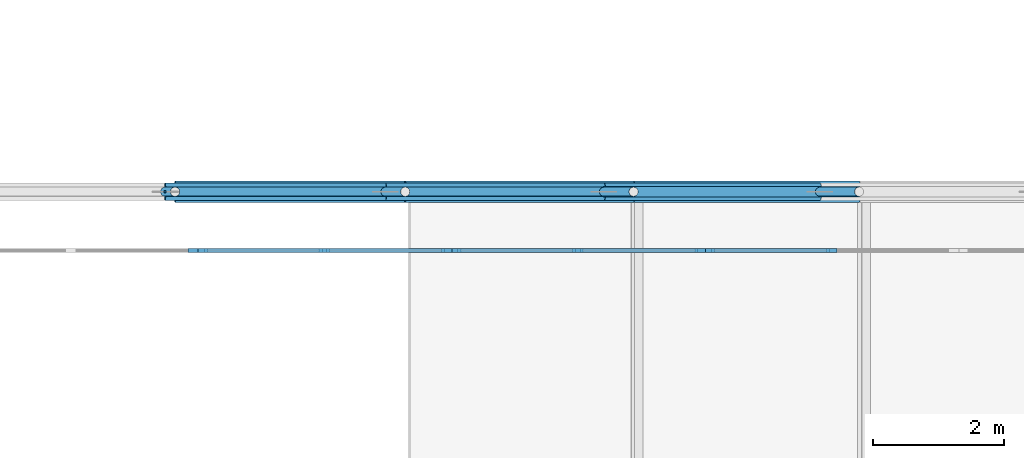
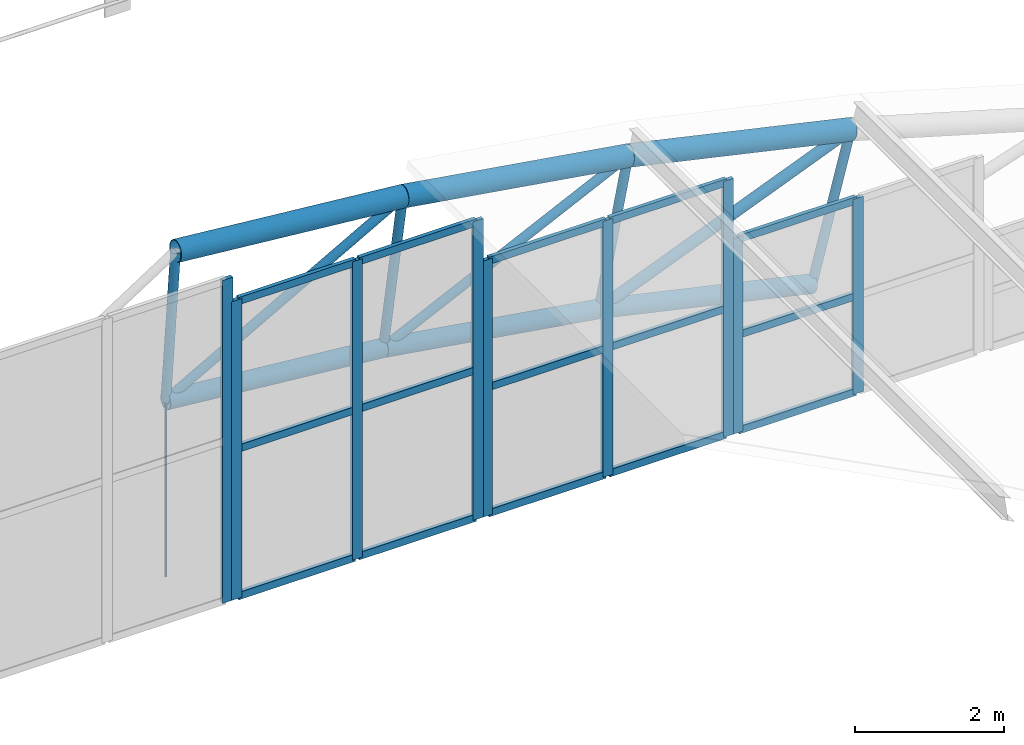
# One storey, part 143 of 321: 38 members, 4 elements without a shape of their own.
"""IFC4 building model written with IfcOpenShell, lengths in metres."""

from ifc_helpers import new_model, si_unit, direction, frame, origin, origin_2d, place, context, subcontext, project, spatial, rectangle, circle, hollow_circle, extrude, material, layer, layer_set, material_profile, profile_set, type_object, element, aggregate, save


model = new_model("IFC4")

# Units and contexts
model_context = context("Model", 3, precision=1e-05, world=origin(), true_north=direction((0.0, 1.0)))
body_context = subcontext(model_context, "Body", "Model", "MODEL_VIEW")
ifc_project = project(units=[si_unit("LENGTHUNIT", "METRE"), si_unit("AREAUNIT", "SQUARE_METRE"), si_unit("VOLUMEUNIT", "CUBIC_METRE"), si_unit("PLANEANGLEUNIT", "RADIAN"), si_unit("MASSUNIT", "GRAM", prefix="KILO")], contexts=[model_context])

# Site, building, storey
site_placement = place(None, origin())
site = spatial("IfcSite", under=ifc_project, at=site_placement, CompositionType="ELEMENT")
building_placement = place(site_placement, origin())
building = spatial("IfcBuilding", under=site, at=building_placement, Name="Ravi Spectrum Wholesale Market", CompositionType="ELEMENT")
storey_placement = place(building_placement, frame((0.0, 0.0, 10.800048828125)))
storey = spatial("IfcBuildingStorey", under=building, at=storey_placement, Name="L02", CompositionType="ELEMENT", Elevation=10.800048828125)

# Members
ifc_material_1 = material(Name="Steel S355", Category="steel")
ifc_material_profile_1 = material_profile(ifc_material_1, hollow_circle(Radius=0.06982421875, WallThickness=0.0048828125, at=origin_2d()))
ifc_profile_set_1 = profile_set([ifc_material_profile_1], Name="Steel S355")
member_type_1 = type_object("IfcMemberType", Name="CHS 139.7x5 brace", PredefinedType="BRACE", material=ifc_profile_set_1)
for number, where, z_axis, x_axis, name in (
    (1, (181.0673828125, 126.0, 4.952392578125), (-0.872529716562, 0.0, -0.488561044001), (0.0, -1.0, 0.0), "H2-MB-L02-273"),
    (2, (184.565673828125, 126.0, 4.394775390625), (-0.901638699511, 0.0, -0.432490064098), (0.0, -1.0, 0.0), "H2-MB-L02-274"),
):
    element("IfcMember", number, at=place(storey_placement, frame(where, z_axis=z_axis, x_axis=x_axis)), inside=storey, type_object=member_type_1, Name=name, PredefinedType="BRACE", context=body_context, shape_type="SweptSolid", body=[
        extrude(hollow_circle(Radius=0.06982421875, WallThickness=0.0048828125, at=origin_2d()), origin(), (0.0, 0.0, 1.0), 4.215576171875),
    ])
ifc_material_2 = material(Name="Steel S355", Category="steel")
ifc_material_profile_2 = material_profile(ifc_material_2, hollow_circle(Radius=0.06982421875, WallThickness=0.0048828125, at=origin_2d()))
ifc_profile_set_2 = profile_set([ifc_material_profile_2], Name="Steel S355")
member_type_2 = type_object("IfcMemberType", Name="CHS 139.7x5 post", PredefinedType="POST", material=ifc_profile_set_2)
for number, where, z_axis, x_axis, name in (
    (3, (177.540771484375, 126.0, 5.2880859375), (-0.06316988397, 0.0, -0.998002788453), (0.0, -1.0, 0.0), "H2-MB-L02-260"),
    (4, (181.0673828125, 126.0, 4.952392578125), (-0.126137795856, 0.0, -0.992012729987), (0.0, -1.0, 0.0), "H2-MB-L02-261"),
):
    element("IfcMember", number, at=place(storey_placement, frame(where, z_axis=z_axis, x_axis=x_axis)), inside=storey, type_object=member_type_2, Name=name, PredefinedType="POST", context=body_context, shape_type="SweptSolid", body=[
        extrude(hollow_circle(Radius=0.06982421875, WallThickness=0.0048828125, at=origin_2d()), origin(), (0.0, 0.0, 1.0), 2.400146484375),
    ])
member_1_placement = place(storey_placement, frame((184.565673828125, 126.0, 4.394775390625), z_axis=(-0.188500261805, 0.0, -0.982073139486), x_axis=(0.0, -1.0, 0.0)))
element("IfcMember", 5, at=member_1_placement, inside=storey, type_object=member_type_2, Name="H2-MB-L02-262", PredefinedType="POST", context=body_context, shape_type="SweptSolid", body=[
    extrude(hollow_circle(Radius=0.06982421875, WallThickness=0.0048828125, at=origin_2d()), origin(), (0.0, 0.0, 1.0), 2.39990234375),
])
member_2_placement = place(storey_placement, frame((188.02197265625, 126.0, 3.6171875), z_axis=(-0.250234870817, 0.0, -0.96818516278), x_axis=(0.0, -1.0, 0.0)))
element("IfcMember", 6, at=member_2_placement, inside=storey, type_object=member_type_2, Name="H2-MB-L02-263", PredefinedType="POST", context=body_context, shape_type="SweptSolid", body=[
    extrude(hollow_circle(Radius=0.06982421875, WallThickness=0.0048828125, at=origin_2d()), origin(), (0.0, 0.0, 1.0), 2.400146484375),
])
ifc_material_3 = material(Name="Steel S355", Category="steel")
ifc_material_profile_3 = material_profile(ifc_material_3, hollow_circle(Radius=0.084228515625, WallThickness=0.00634765625, at=origin_2d()))
ifc_profile_set_3 = profile_set([ifc_material_profile_3], Name="Steel S355")
member_type_3 = type_object("IfcMemberType", Name="CHS 168.3x6.3 brace", PredefinedType="BRACE", material=ifc_profile_set_3)
member_3_placement = place(storey_placement, frame((188.02197265625, 126.0, 3.6171875), z_axis=(-0.927172989808, 0.0, -0.374633483515), x_axis=(0.0, -1.0, 0.0)))
element("IfcMember", 7, at=member_3_placement, inside=storey, type_object=member_type_3, Name="H2-MB-L02-275", PredefinedType="BRACE", context=body_context, shape_type="SweptSolid", body=[
    extrude(hollow_circle(Radius=0.084228515625, WallThickness=0.00634765625, at=origin_2d()), origin(), (0.0, 0.0, 1.0), 4.2158203125),
])
ifc_material_4 = material(Name="Steel S355", Category="steel")
ifc_material_profile_4 = material_profile(ifc_material_4, hollow_circle(Radius=0.136474609375, WallThickness=0.010009765625, at=origin_2d()))
ifc_profile_set_4 = profile_set([ifc_material_profile_4], Name="Steel S355")
member_type_4 = type_object("IfcMemberType", Name="CHS 273x10 chord", PredefinedType="CHORD", material=ifc_profile_set_4)
member_4_placement = place(storey_placement, frame((177.38916015625, 126.0, 2.892822265625), z_axis=(0.995500648787, 0.0, -0.094754726877), x_axis=(0.0, 1.0, 0.0)))
element("IfcMember", 8, at=member_4_placement, inside=storey, type_object=member_type_4, Name="H2-MB-L02-247", PredefinedType="CHORD", context=body_context, shape_type="SweptSolid", body=[
    extrude(hollow_circle(Radius=0.136474609375, WallThickness=0.010009765625, at=origin_2d()), origin(), (0.0, 0.0, 1.0), 3.390625),
])
for number, where, z_axis, x_axis, name in (
    (9, (180.7646484375, 126.0, 2.571533203125), (0.98753659733, 0.0, -0.157389545185), (0.0, 1.0, 0.0), "H2-MB-L02-248"),
    (10, (184.11328125, 126.0, 2.037841796875), (0.975605901076, 0.0, -0.219529327851), (0.0, 1.0, 0.0), "H2-MB-L02-249"),
):
    element("IfcMember", number, at=place(storey_placement, frame(where, z_axis=z_axis, x_axis=x_axis)), inside=storey, type_object=member_type_4, Name=name, PredefinedType="CHORD", context=body_context, shape_type="SweptSolid", body=[
        extrude(hollow_circle(Radius=0.136474609375, WallThickness=0.010009765625, at=origin_2d()), origin(), (0.0, 0.0, 1.0), 3.390869140625),
    ])
ifc_material_5 = material(Name="Steel S355", Category="steel")
ifc_material_profile_5 = material_profile(ifc_material_5, hollow_circle(Radius=0.161865234375, WallThickness=0.010009765625, at=origin_2d()))
ifc_profile_set_5 = profile_set([ifc_material_profile_5], Name="Steel S355")
member_type_5 = type_object("IfcMemberType", Name="CHS 323.9x10 chord", PredefinedType="CHORD", material=ifc_profile_set_5)
for number, where, z_axis, x_axis, name in (
    (11, (177.540771484375, 126.0, 5.2880859375), (0.995500117461, 0.0, -0.094760308862), (0.0, 1.0, 0.0), "H2-MB-L02-233"),
    (12, (181.0673828125, 126.0, 4.952392578125), (0.987533356072, 0.0, -0.157409881029), (0.0, 1.0, 0.0), "H2-MB-L02-234"),
):
    element("IfcMember", number, at=place(storey_placement, frame(where, z_axis=z_axis, x_axis=x_axis)), inside=storey, type_object=member_type_5, Name=name, PredefinedType="CHORD", context=body_context, shape_type="SweptSolid", body=[
        extrude(hollow_circle(Radius=0.161865234375, WallThickness=0.010009765625, at=origin_2d()), origin(), (0.0, 0.0, 1.0), 3.54248046875),
    ])
member_5_placement = place(storey_placement, frame((184.565673828125, 126.0, 4.394775390625), z_axis=(0.975614552373, 0.0, -0.219490877256), x_axis=(0.0, 1.0, 0.0)))
element("IfcMember", 13, at=member_5_placement, inside=storey, type_object=member_type_5, Name="H2-MB-L02-235", PredefinedType="CHORD", context=body_context, shape_type="SweptSolid", body=[
    extrude(hollow_circle(Radius=0.161865234375, WallThickness=0.010009765625, at=origin_2d()), origin(), (0.0, 0.0, 1.0), 3.542724609375),
])

# Curtain wall, member
ifc_material_6 = material(Name="Aluminium 6063-T6", Category="aluminium")
ifc_layer = layer(ifc_material_6, 0.14990234375)
ifc_layer_set = layer_set([ifc_layer], Name="Aluminium 6063-T6")
curtain_wall_type = type_object("IfcCurtainWallType", Name="Curtain wall 150", PredefinedType="NOTDEFINED", material=ifc_layer_set)
curtain_wall_1_placement = place(storey_placement, origin())
curtain_wall_1 = element("IfcCurtainWall", 14, at=curtain_wall_1_placement, inside=storey, type_object=curtain_wall_type, Name="H2-CW-L02-016", PredefinedType="NOTDEFINED")
ifc_material_7 = material(Name="Aluminium 6063-T6", Category="aluminium")
ifc_material_profile_6 = material_profile(ifc_material_7, rectangle(XDim=0.06005859375, YDim=0.159912109375, at=origin_2d()))
ifc_profile_set_6 = profile_set([ifc_material_profile_6], Name="Aluminium 6063-T6")
member_type_6 = type_object("IfcMemberType", Name="Mullion 60 x 160", PredefinedType="MULLION", material=ifc_profile_set_6)
member_6_placement = place(storey_placement, frame((177.816162109375, 125.10009765625, 0.0), z_axis=(0.0, 0.0, 1.0), x_axis=(0.0, 1.0, 0.0)))
member_6 = element("IfcMember", 15, at=member_6_placement, type_object=member_type_6, Name="H2-CW-L02-016 mullion 3", PredefinedType="MULLION", context=body_context, shape_type="SweptSolid", body=[
    extrude(rectangle(XDim=0.06005859375, YDim=0.159912109375, at=origin_2d()), origin(), (0.0, 0.0, 1.0), 5.300048828125),
])
aggregate(curtain_wall_1, [member_6])

# Curtain wall, members
curtain_wall_2_placement = place(storey_placement, origin())
curtain_wall_2 = element("IfcCurtainWall", 16, at=curtain_wall_2_placement, inside=storey, type_object=curtain_wall_type, Name="H2-CW-L02-017", PredefinedType="NOTDEFINED")
member_7_placement = place(storey_placement, frame((177.9560546875, 125.10009765625, 0.0), z_axis=(0.0, 0.0, 1.0), x_axis=(0.0, 1.0, 0.0)))
member_7 = element("IfcMember", 17, at=member_7_placement, type_object=member_type_6, Name="H2-CW-L02-017 mullion 1", PredefinedType="MULLION", context=body_context, shape_type="SweptSolid", body=[
    extrude(rectangle(XDim=0.06005859375, YDim=0.159912109375, at=origin_2d()), origin(), (0.0, 0.0, 1.0), 4.89990234375),
])
member_8_placement = place(storey_placement, frame((179.8291015625, 125.10009765625, 0.0), z_axis=(0.0, 0.0, 1.0), x_axis=(0.0, 1.0, 0.0)))
member_8 = element("IfcMember", 18, at=member_8_placement, type_object=member_type_6, Name="H2-CW-L02-017 mullion 2", PredefinedType="MULLION", context=body_context, shape_type="SweptSolid", body=[
    extrude(rectangle(XDim=0.06005859375, YDim=0.159912109375, at=origin_2d()), origin(), (0.0, 0.0, 1.0), 4.89990234375),
])
member_9_placement = place(storey_placement, frame((181.7021484375, 125.10009765625, 0.0), z_axis=(0.0, 0.0, 1.0), x_axis=(0.0, 1.0, 0.0)))
member_9 = element("IfcMember", 19, at=member_9_placement, type_object=member_type_6, Name="H2-CW-L02-017 mullion 3", PredefinedType="MULLION", context=body_context, shape_type="SweptSolid", body=[
    extrude(rectangle(XDim=0.06005859375, YDim=0.159912109375, at=origin_2d()), origin(), (0.0, 0.0, 1.0), 4.89990234375),
])

curtain_wall_3_placement = place(storey_placement, origin())
curtain_wall_3 = element("IfcCurtainWall", 20, at=curtain_wall_3_placement, inside=storey, type_object=curtain_wall_type, Name="H2-CW-L02-018", PredefinedType="NOTDEFINED")
member_10_placement = place(storey_placement, frame((181.84228515625, 125.10009765625, 0.0), z_axis=(0.0, 0.0, 1.0), x_axis=(0.0, 1.0, 0.0)))
member_10 = element("IfcMember", 21, at=member_10_placement, type_object=member_type_6, Name="H2-CW-L02-018 mullion 1", PredefinedType="MULLION", context=body_context, shape_type="SweptSolid", body=[
    extrude(rectangle(XDim=0.06005859375, YDim=0.159912109375, at=origin_2d()), origin(), (0.0, 0.0, 1.0), 4.199951171875),
])
member_11_placement = place(storey_placement, frame((183.71533203125, 125.10009765625, 0.0), z_axis=(0.0, 0.0, 1.0), x_axis=(0.0, 1.0, 0.0)))
member_11 = element("IfcMember", 22, at=member_11_placement, type_object=member_type_6, Name="H2-CW-L02-018 mullion 2", PredefinedType="MULLION", context=body_context, shape_type="SweptSolid", body=[
    extrude(rectangle(XDim=0.06005859375, YDim=0.159912109375, at=origin_2d()), origin(), (0.0, 0.0, 1.0), 4.199951171875),
])
member_12_placement = place(storey_placement, frame((185.58837890625, 125.10009765625, 0.0), z_axis=(0.0, 0.0, 1.0), x_axis=(0.0, 1.0, 0.0)))
member_12 = element("IfcMember", 23, at=member_12_placement, type_object=member_type_6, Name="H2-CW-L02-018 mullion 3", PredefinedType="MULLION", context=body_context, shape_type="SweptSolid", body=[
    extrude(rectangle(XDim=0.06005859375, YDim=0.159912109375, at=origin_2d()), origin(), (0.0, 0.0, 1.0), 4.199951171875),
])

curtain_wall_4_placement = place(storey_placement, origin())
curtain_wall_4 = element("IfcCurtainWall", 24, at=curtain_wall_4_placement, inside=storey, type_object=curtain_wall_type, Name="H2-CW-L02-019", PredefinedType="NOTDEFINED")
member_13_placement = place(storey_placement, frame((185.728515625, 125.10009765625, 0.0), z_axis=(0.0, 0.0, 1.0), x_axis=(0.0, 1.0, 0.0)))
member_13 = element("IfcMember", 25, at=member_13_placement, type_object=member_type_6, Name="H2-CW-L02-019 mullion 1", PredefinedType="MULLION", context=body_context, shape_type="SweptSolid", body=[
    extrude(rectangle(XDim=0.06005859375, YDim=0.159912109375, at=origin_2d()), origin(), (0.0, 0.0, 1.0), 3.199951171875),
])
member_14_placement = place(storey_placement, frame((187.6015625, 125.10009765625, 0.0), z_axis=(0.0, 0.0, 1.0), x_axis=(0.0, 1.0, 0.0)))
member_14 = element("IfcMember", 26, at=member_14_placement, type_object=member_type_6, Name="H2-CW-L02-019 mullion 2", PredefinedType="MULLION", context=body_context, shape_type="SweptSolid", body=[
    extrude(rectangle(XDim=0.06005859375, YDim=0.159912109375, at=origin_2d()), origin(), (0.0, 0.0, 1.0), 3.199951171875),
])

# Member
ifc_material_8 = material(Name="Steel S355", Category="steel")
ifc_material_profile_7 = material_profile(ifc_material_8, circle(Radius=0.01806640625, at=origin_2d()))
ifc_profile_set_7 = profile_set([ifc_material_profile_7], Name="Steel S355")
member_type_7 = type_object("IfcMemberType", Name="ROD 36 hanger", PredefinedType="STRUT", material=ifc_profile_set_7)
member_15_placement = place(storey_placement, frame((177.38916015625, 126.0, 0.0), z_axis=(0.0, 0.0, 1.0), x_axis=(1.0, 0.0, 0.0)))
element("IfcMember", 27, at=member_15_placement, inside=storey, type_object=member_type_7, Name="H2-MB-L02-280", PredefinedType="STRUT", context=body_context, shape_type="SweptSolid", body=[
    extrude(circle(Radius=0.01806640625, at=origin_2d()), origin(), (0.0, 0.0, 1.0), 2.892822265625),
])

ifc_material_9 = material(Name="Aluminium 6063-T6", Category="aluminium")
ifc_material_profile_8 = material_profile(ifc_material_9, rectangle(XDim=0.06005859375, YDim=0.1201171875, at=origin_2d()))
ifc_profile_set_8 = profile_set([ifc_material_profile_8], Name="Aluminium 6063-T6")
member_type_8 = type_object("IfcMemberType", Name="Transom 60 x 120", PredefinedType="USERDEFINED", material=ifc_profile_set_8)
member_16_placement = place(storey_placement, frame((177.986083984375, 125.10009765625, 0.030029296875), z_axis=(1.0, 0.0, 0.0), x_axis=(0.0, 1.0, 0.0)))
member_16 = element("IfcMember", 28, at=member_16_placement, type_object=member_type_8, Name="H2-CW-L02-017 transom 1.1", ObjectType="TRANSOM", PredefinedType="USERDEFINED", context=body_context, shape_type="SweptSolid", body=[
    extrude(rectangle(XDim=0.06005859375, YDim=0.1201171875, at=origin_2d()), origin(), (0.0, 0.0, 1.0), 1.813232421875),
])

member_17_placement = place(storey_placement, frame((177.986083984375, 125.10009765625, 2.449951171875), z_axis=(1.0, 0.0, 0.0), x_axis=(0.0, 1.0, 0.0)))
member_17 = element("IfcMember", 29, at=member_17_placement, type_object=member_type_8, Name="H2-CW-L02-017 transom 1.2", ObjectType="TRANSOM", PredefinedType="USERDEFINED", context=body_context, shape_type="SweptSolid", body=[
    extrude(rectangle(XDim=0.06005859375, YDim=0.1201171875, at=origin_2d()), origin(), (0.0, 0.0, 1.0), 1.813232421875),
])

member_18_placement = place(storey_placement, frame((177.986083984375, 125.10009765625, 4.869873046875), z_axis=(1.0, 0.0, 0.0), x_axis=(0.0, 1.0, 0.0)))
member_18 = element("IfcMember", 30, at=member_18_placement, type_object=member_type_8, Name="H2-CW-L02-017 transom 1.3", ObjectType="TRANSOM", PredefinedType="USERDEFINED", context=body_context, shape_type="SweptSolid", body=[
    extrude(rectangle(XDim=0.06005859375, YDim=0.1201171875, at=origin_2d()), origin(), (0.0, 0.0, 1.0), 1.813232421875),
])

member_19_placement = place(storey_placement, frame((179.859130859375, 125.10009765625, 0.030029296875), z_axis=(1.0, 0.0, 0.0), x_axis=(0.0, 1.0, 0.0)))
member_19 = element("IfcMember", 31, at=member_19_placement, type_object=member_type_8, Name="H2-CW-L02-017 transom 2.1", ObjectType="TRANSOM", PredefinedType="USERDEFINED", context=body_context, shape_type="SweptSolid", body=[
    extrude(rectangle(XDim=0.06005859375, YDim=0.1201171875, at=origin_2d()), origin(), (0.0, 0.0, 1.0), 1.813232421875),
])

member_20_placement = place(storey_placement, frame((179.859130859375, 125.10009765625, 2.449951171875), z_axis=(1.0, 0.0, 0.0), x_axis=(0.0, 1.0, 0.0)))
member_20 = element("IfcMember", 32, at=member_20_placement, type_object=member_type_8, Name="H2-CW-L02-017 transom 2.2", ObjectType="TRANSOM", PredefinedType="USERDEFINED", context=body_context, shape_type="SweptSolid", body=[
    extrude(rectangle(XDim=0.06005859375, YDim=0.1201171875, at=origin_2d()), origin(), (0.0, 0.0, 1.0), 1.813232421875),
])

member_21_placement = place(storey_placement, frame((179.859130859375, 125.10009765625, 4.869873046875), z_axis=(1.0, 0.0, 0.0), x_axis=(0.0, 1.0, 0.0)))
member_21 = element("IfcMember", 33, at=member_21_placement, type_object=member_type_8, Name="H2-CW-L02-017 transom 2.3", ObjectType="TRANSOM", PredefinedType="USERDEFINED", context=body_context, shape_type="SweptSolid", body=[
    extrude(rectangle(XDim=0.06005859375, YDim=0.1201171875, at=origin_2d()), origin(), (0.0, 0.0, 1.0), 1.813232421875),
])

aggregate(curtain_wall_2, [member_7, member_8, member_9, member_16, member_17, member_18, member_19, member_20, member_21])

member_22_placement = place(storey_placement, frame((181.872314453125, 125.10009765625, 0.030029296875), z_axis=(1.0, 0.0, 0.0), x_axis=(0.0, 1.0, 0.0)))
member_22 = element("IfcMember", 34, at=member_22_placement, type_object=member_type_8, Name="H2-CW-L02-018 transom 1.1", ObjectType="TRANSOM", PredefinedType="USERDEFINED", context=body_context, shape_type="SweptSolid", body=[
    extrude(rectangle(XDim=0.06005859375, YDim=0.1201171875, at=origin_2d()), origin(), (0.0, 0.0, 1.0), 1.81298828125),
])

member_23_placement = place(storey_placement, frame((181.872314453125, 125.10009765625, 2.099853515625), z_axis=(1.0, 0.0, 0.0), x_axis=(0.0, 1.0, 0.0)))
member_23 = element("IfcMember", 35, at=member_23_placement, type_object=member_type_8, Name="H2-CW-L02-018 transom 1.2", ObjectType="TRANSOM", PredefinedType="USERDEFINED", context=body_context, shape_type="SweptSolid", body=[
    extrude(rectangle(XDim=0.06005859375, YDim=0.1201171875, at=origin_2d()), origin(), (0.0, 0.0, 1.0), 1.81298828125),
])

member_24_placement = place(storey_placement, frame((181.872314453125, 125.10009765625, 4.169921875), z_axis=(1.0, 0.0, 0.0), x_axis=(0.0, 1.0, 0.0)))
member_24 = element("IfcMember", 36, at=member_24_placement, type_object=member_type_8, Name="H2-CW-L02-018 transom 1.3", ObjectType="TRANSOM", PredefinedType="USERDEFINED", context=body_context, shape_type="SweptSolid", body=[
    extrude(rectangle(XDim=0.06005859375, YDim=0.1201171875, at=origin_2d()), origin(), (0.0, 0.0, 1.0), 1.81298828125),
])

member_25_placement = place(storey_placement, frame((183.745361328125, 125.10009765625, 0.030029296875), z_axis=(1.0, 0.0, 0.0), x_axis=(0.0, 1.0, 0.0)))
member_25 = element("IfcMember", 37, at=member_25_placement, type_object=member_type_8, Name="H2-CW-L02-018 transom 2.1", ObjectType="TRANSOM", PredefinedType="USERDEFINED", context=body_context, shape_type="SweptSolid", body=[
    extrude(rectangle(XDim=0.06005859375, YDim=0.1201171875, at=origin_2d()), origin(), (0.0, 0.0, 1.0), 1.81298828125),
])

member_26_placement = place(storey_placement, frame((183.745361328125, 125.10009765625, 2.099853515625), z_axis=(1.0, 0.0, 0.0), x_axis=(0.0, 1.0, 0.0)))
member_26 = element("IfcMember", 38, at=member_26_placement, type_object=member_type_8, Name="H2-CW-L02-018 transom 2.2", ObjectType="TRANSOM", PredefinedType="USERDEFINED", context=body_context, shape_type="SweptSolid", body=[
    extrude(rectangle(XDim=0.06005859375, YDim=0.1201171875, at=origin_2d()), origin(), (0.0, 0.0, 1.0), 1.81298828125),
])

member_27_placement = place(storey_placement, frame((183.745361328125, 125.10009765625, 4.169921875), z_axis=(1.0, 0.0, 0.0), x_axis=(0.0, 1.0, 0.0)))
member_27 = element("IfcMember", 39, at=member_27_placement, type_object=member_type_8, Name="H2-CW-L02-018 transom 2.3", ObjectType="TRANSOM", PredefinedType="USERDEFINED", context=body_context, shape_type="SweptSolid", body=[
    extrude(rectangle(XDim=0.06005859375, YDim=0.1201171875, at=origin_2d()), origin(), (0.0, 0.0, 1.0), 1.81298828125),
])

aggregate(curtain_wall_3, [member_10, member_11, member_12, member_22, member_23, member_24, member_25, member_26, member_27])

member_28_placement = place(storey_placement, frame((185.75830078125, 125.10009765625, 0.030029296875), z_axis=(1.0, 0.0, 0.0), x_axis=(0.0, 1.0, 0.0)))
member_28 = element("IfcMember", 40, at=member_28_placement, type_object=member_type_8, Name="H2-CW-L02-019 transom 1.1", ObjectType="TRANSOM", PredefinedType="USERDEFINED", context=body_context, shape_type="SweptSolid", body=[
    extrude(rectangle(XDim=0.06005859375, YDim=0.1201171875, at=origin_2d()), origin(), (0.0, 0.0, 1.0), 1.813232421875),
])

member_29_placement = place(storey_placement, frame((185.75830078125, 125.10009765625, 1.599853515625), z_axis=(1.0, 0.0, 0.0), x_axis=(0.0, 1.0, 0.0)))
member_29 = element("IfcMember", 41, at=member_29_placement, type_object=member_type_8, Name="H2-CW-L02-019 transom 1.2", ObjectType="TRANSOM", PredefinedType="USERDEFINED", context=body_context, shape_type="SweptSolid", body=[
    extrude(rectangle(XDim=0.06005859375, YDim=0.1201171875, at=origin_2d()), origin(), (0.0, 0.0, 1.0), 1.813232421875),
])

member_30_placement = place(storey_placement, frame((185.75830078125, 125.10009765625, 3.169921875), z_axis=(1.0, 0.0, 0.0), x_axis=(0.0, 1.0, 0.0)))
member_30 = element("IfcMember", 42, at=member_30_placement, type_object=member_type_8, Name="H2-CW-L02-019 transom 1.3", ObjectType="TRANSOM", PredefinedType="USERDEFINED", context=body_context, shape_type="SweptSolid", body=[
    extrude(rectangle(XDim=0.06005859375, YDim=0.1201171875, at=origin_2d()), origin(), (0.0, 0.0, 1.0), 1.813232421875),
])

aggregate(curtain_wall_4, [member_13, member_14, member_28, member_29, member_30])

save(model, "model.ifc")
